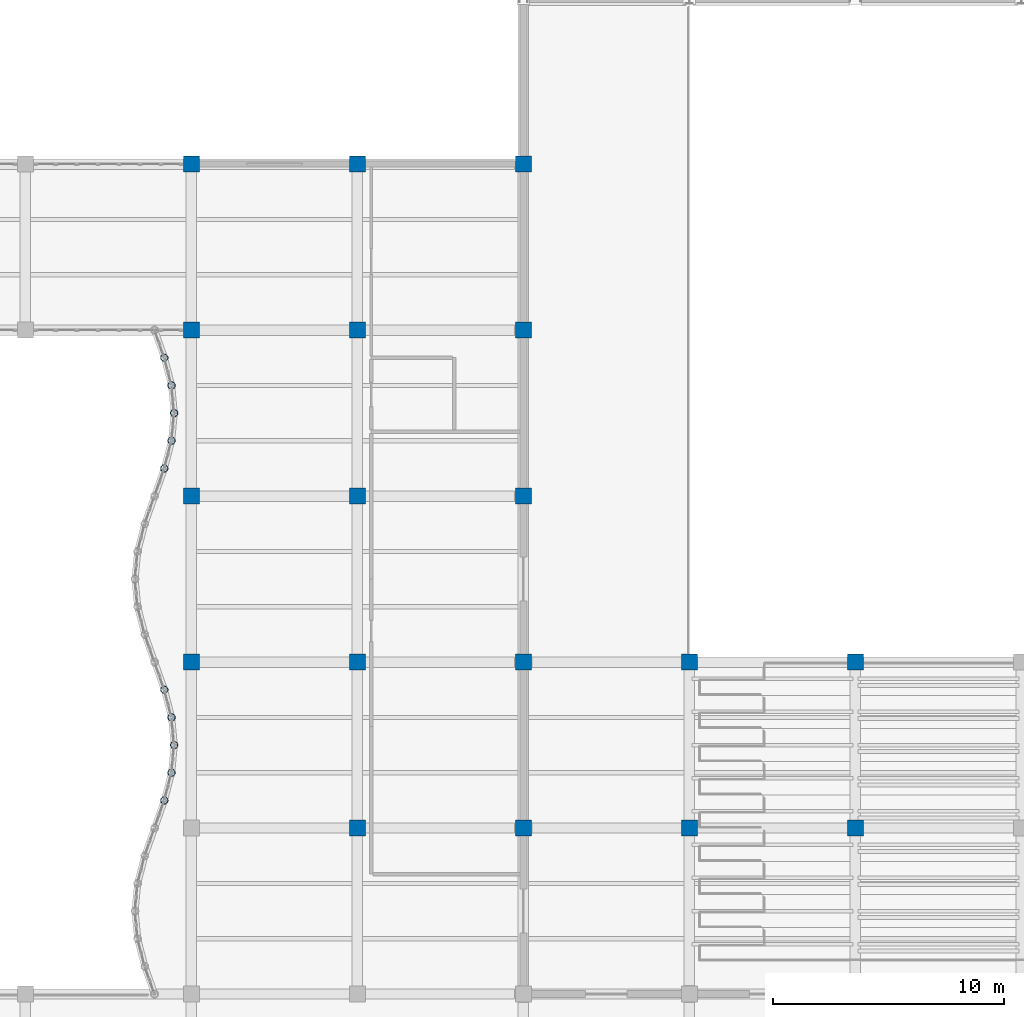
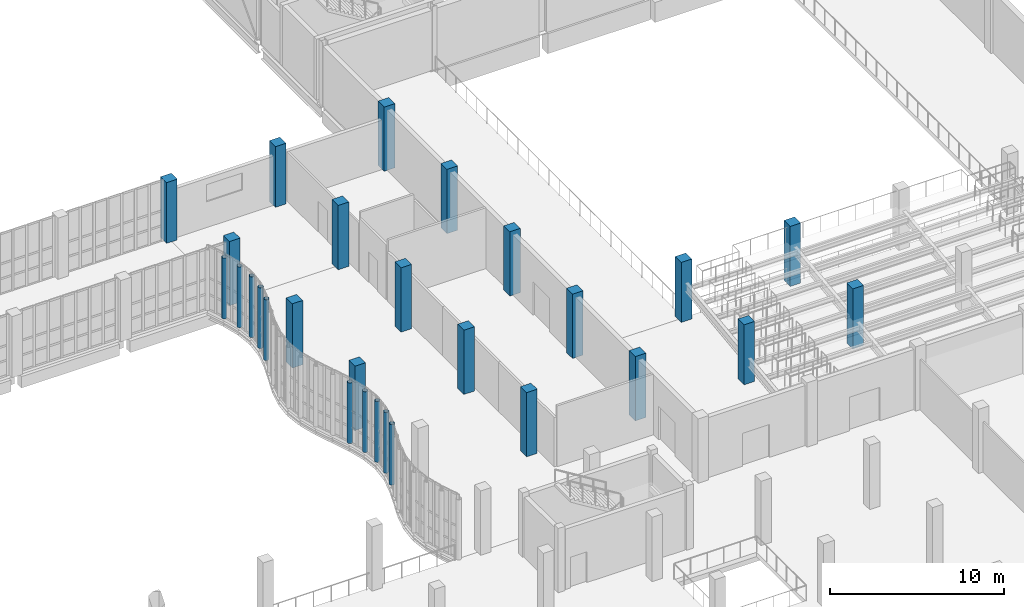
# One storey, part 6 of 108: 28 columns.
"""IFC4 building model written with IfcOpenShell, lengths in metres."""

import ifcopenshell
import ifcopenshell.guid

model = None  # the IFC model being written
_history = None  # IfcOwnerHistory: only IFC2X3 demands one
_inside = {}  # id of a spatial element -> (the spatial element, [elements in it])
_under = {}  # id of a project, library or spatial element -> (it, [spatial elements below it])
_declared = {}  # id of a project -> (the project, [libraries it declares])
_typed = {}  # id of a type object -> (the type object, [elements of that type])
_made_of = {}  # id of a material, layer set ... -> (it, [elements and type objects made of it])


def new_model(schema):
    """Start an empty IFC model of exactly this schema.

    Asked for "IFC4X3", IfcOpenShell would pick the latest addendum, in which some entities
    have other attributes; the version numbers below select the first issue.
    IFC2X3 requires an IfcOwnerHistory on every rooted entity: one is made here for all.
    """
    global model, _history
    if schema == "IFC4X3":
        model = ifcopenshell.file(schema_version=(4, 3, 0, 0))
    else:
        model = ifcopenshell.file(schema=schema)
    _inside.clear()
    _under.clear()
    _declared.clear()
    _typed.clear()
    _made_of.clear()
    _history = None
    if model.schema == "IFC2X3":
        org = make("IfcOrganization", Name="unknown")
        user = make(
            "IfcPersonAndOrganization",
            ThePerson=make("IfcPerson", FamilyName="unknown"),
            TheOrganization=org,
        )
        app = make(
            "IfcApplication",
            ApplicationDeveloper=org,
            Version="unknown",
            ApplicationFullName="unknown",
            ApplicationIdentifier="unknown",
        )
        _history = make(
            "IfcOwnerHistory",
            OwningUser=user,
            OwningApplication=app,
            ChangeAction="ADDED",
            CreationDate=0,
        )
    return model


def make(cls, **values):
    """One entity of the class cls with the attributes given. An attribute that is None is left unset."""
    return model.create_entity(
        cls, **{name: value for name, value in values.items() if value is not None}
    )


def rooted(cls, **values):
    """An entity with a GlobalId (a new one), such as an element, a storey or a relation."""
    return make(cls, GlobalId=ifcopenshell.guid.new(), OwnerHistory=_history, **values)


def si_unit(unit_type, name, prefix=None):
    """IfcSIUnit, for example si_unit("LENGTHUNIT", "METRE", prefix="MILLI")."""
    return make("IfcSIUnit", UnitType=unit_type, Prefix=prefix, Name=name)


def assignment(units):
    """IfcUnitAssignment: the units of a project."""
    return None if units is None else make("IfcUnitAssignment", Units=units)


def point(xyz):
    """IfcCartesianPoint."""
    return None if xyz is None else make("IfcCartesianPoint", Coordinates=xyz)


def direction(xyz):
    """IfcDirection."""
    return None if xyz is None else make("IfcDirection", DirectionRatios=xyz)


def frame(location, z_axis=None, x_axis=None):
    """IfcAxis2Placement3D, a coordinate frame: its origin and axes. An axis left out is left unset."""
    return make(
        "IfcAxis2Placement3D",
        Location=point(location),
        Axis=direction(z_axis),
        RefDirection=direction(x_axis),
    )


def frame_2d(location, x_axis=None):
    """IfcAxis2Placement2D, a coordinate frame in the plane: its origin and x axis."""
    return make(
        "IfcAxis2Placement2D", Location=point(location), RefDirection=direction(x_axis)
    )


def origin():
    """The frame at (0, 0, 0) with its axes left unset."""
    return frame((0.0, 0.0, 0.0))


def origin_2d():
    """The frame at (0, 0) in the plane with its x axis left unset."""
    return frame_2d((0.0, 0.0))


def place(relative_to, where):
    """IfcLocalPlacement: puts the frame where relative to a parent placement (None: the world)."""
    return make(
        "IfcLocalPlacement", PlacementRelTo=relative_to, RelativePlacement=where
    )


def context(
    kind, dimensions, precision=None, world=None, true_north=None, identifier=None
):
    """IfcGeometricRepresentationContext, for example the 3D "Model" context."""
    return make(
        "IfcGeometricRepresentationContext",
        ContextIdentifier=identifier,
        ContextType=kind,
        CoordinateSpaceDimension=dimensions,
        Precision=precision,
        WorldCoordinateSystem=world,
        TrueNorth=true_north,
    )


def subcontext(parent, identifier, kind, view, scale=None):
    """IfcGeometricRepresentationSubContext, for example "Body" below "Model"."""
    return make(
        "IfcGeometricRepresentationSubContext",
        ContextIdentifier=identifier,
        ContextType=kind,
        ParentContext=parent,
        TargetScale=scale,
        TargetView=view,
    )


def project(units=None, contexts=None):
    """IfcProject with its units and contexts."""
    return rooted(
        "IfcProject",
        Name="project",
        RepresentationContexts=contexts,
        UnitsInContext=assignment(units),
    )


def spatial(cls, under=None, at=None, **own):
    """A site, building, storey or space (cls), placed at a placement, below another one or the project."""
    s = rooted(cls, ObjectPlacement=at, **own)
    if under is not None:
        _under.setdefault(under.id(), (under, []))[1].append(s)
    return s


def profile(cls, at=None, kind="AREA", **sizes):
    """A parametric profile (cls). Its sizes go by their IFC names, for example OverallWidth=200.0."""
    return make(cls, ProfileType=kind, Position=at, **sizes)


def rectangle(**sizes):
    """IfcRectangleProfileDef."""
    return profile("IfcRectangleProfileDef", **sizes)


def hollow_circle(**sizes):
    """IfcCircleHollowProfileDef."""
    return profile("IfcCircleHollowProfileDef", **sizes)


def extrude(swept, where, along, depth):
    """IfcExtrudedAreaSolid: the profile swept, set in the frame where, extruded along a direction by depth."""
    return make(
        "IfcExtrudedAreaSolid",
        SweptArea=swept,
        Position=where,
        ExtrudedDirection=direction(along),
        Depth=depth,
    )


def shape(context_of_items, identifier, shape_type, items):
    """IfcShapeRepresentation: the items that make up one representation, for example the "Body"."""
    return make(
        "IfcShapeRepresentation",
        ContextOfItems=context_of_items,
        RepresentationIdentifier=identifier,
        RepresentationType=shape_type,
        Items=items,
    )


def material(Name=None, Category=None):
    """IfcMaterial."""
    return make("IfcMaterial", Name=Name, Category=Category)


def material_profile(
    of_material, cross_section, Name=None, Category=None, Priority=None
):
    """IfcMaterialProfile: a cross section and its material."""
    return make(
        "IfcMaterialProfile",
        Name=Name,
        Material=of_material,
        Profile=cross_section,
        Priority=Priority,
        Category=Category,
    )


def profile_set(profiles, Name=None, composite=None):
    """IfcMaterialProfileSet."""
    return make(
        "IfcMaterialProfileSet",
        Name=Name,
        MaterialProfiles=profiles,
        CompositeProfile=composite,
    )


def made_of(thing, what):
    """Note that an element or type object is made of a material, layer set ...; save() writes the relation."""
    if what is not None:
        _made_of.setdefault(what.id(), (what, []))[1].append(thing)
    return thing


def type_object(cls, material=None, **own):
    """A type object (cls), such as IfcWallType, which elements share."""
    return made_of(rooted(cls, **own), material)


def element(
    cls,
    number,
    at=None,
    inside=None,
    cuts=None,
    type_object=None,
    material=None,
    context=None,
    identifier="Body",
    shape_type=None,
    held_by="IfcProductDefinitionShape",
    body=None,
    shapes=None,
    **own,
):
    """One element of the class cls, such as IfcWall. Its Tag is "e" and its number.

    at: its placement. inside: the storey or other place that contains it. cuts: it is an
    opening in that element (IfcRelVoidsElement). A single representation is given by context,
    identifier, shape_type and body (its items); several are given by shapes. held_by: the class
    of the entity that holds the representations. save() writes the other relations.
    """
    e = rooted(cls, Tag="e%d" % number, ObjectPlacement=at, **own)
    if body is not None:
        shapes = [shape(context, identifier, shape_type, body)]
    if shapes is not None:
        e.Representation = make(held_by, Representations=shapes)
    if inside is not None:
        _inside.setdefault(inside.id(), (inside, []))[1].append(e)
    if cuts is not None:
        rooted(
            "IfcRelVoidsElement", RelatingBuildingElement=cuts, RelatedOpeningElement=e
        )
    if type_object is not None:
        _typed.setdefault(type_object.id(), (type_object, []))[1].append(e)
    return made_of(e, material)


def aggregate(whole, parts):
    """IfcRelAggregates: a whole, such as a stair, and the parts it consists of."""
    return rooted("IfcRelAggregates", RelatingObject=whole, RelatedObjects=parts)


def save(model, path):
    """Write the relations noted so far, then the file.

    IfcRelAggregates (storeys below a building ...), IfcRelContainedInSpatialStructure (elements
    in a storey), IfcRelDefinesByType, IfcRelAssociatesMaterial and IfcRelDeclares: one each for
    every whole, place, type object, material and project.
    """
    for whole, parts in _under.values():
        aggregate(whole, parts)
    for where, things in _inside.values():
        rooted(
            "IfcRelContainedInSpatialStructure",
            RelatedElements=things,
            RelatingStructure=where,
        )
    for kind, things in _typed.values():
        rooted("IfcRelDefinesByType", RelatedObjects=things, RelatingType=kind)
    for what, things in _made_of.values():
        rooted("IfcRelAssociatesMaterial", RelatedObjects=things, RelatingMaterial=what)
    for by, libraries in _declared.values():
        rooted("IfcRelDeclares", RelatingContext=by, RelatedDefinitions=libraries)
    model.write(path)


model = new_model("IFC4")

# Units and contexts
model_context = context("Model", 3, precision=1e-05, world=origin(), true_north=direction((0.0, 1.0)))
body_context = subcontext(model_context, "Body", "Model", "MODEL_VIEW")
ifc_project = project(units=[si_unit("LENGTHUNIT", "METRE"), si_unit("AREAUNIT", "SQUARE_METRE"), si_unit("VOLUMEUNIT", "CUBIC_METRE"), si_unit("PLANEANGLEUNIT", "RADIAN"), si_unit("MASSUNIT", "GRAM", prefix="KILO"), si_unit("THERMODYNAMICTEMPERATUREUNIT", "KELVIN"), si_unit("POWERUNIT", "WATT")], contexts=[model_context])

# Site, building, storey
site_placement = place(None, origin())
site = spatial("IfcSite", under=ifc_project, at=site_placement, CompositionType="ELEMENT")
building_placement = place(site_placement, origin())
building = spatial("IfcBuilding", under=site, at=building_placement, Name="Kaldorven Railside Theatre", CompositionType="ELEMENT")
storey_placement = place(building_placement, frame((0.0, 0.0, 5.39990234375)))
storey = spatial("IfcBuildingStorey", under=building, at=storey_placement, Name="L01", CompositionType="ELEMENT", Elevation=5.39990234375)

# Columns
ifc_material_1 = material(Name="Steel S355", Category="steel")
ifc_material_profile_1 = material_profile(ifc_material_1, hollow_circle(Radius=0.161865234375, WallThickness=0.01611328125, at=origin_2d()), Name="CHS 323.9x16")
ifc_profile_set_1 = profile_set([ifc_material_profile_1], Name="Steel S355")
column_type_1 = type_object("IfcColumnType", Name="COL-CHS324", PredefinedType="COLUMN", material=ifc_profile_set_1)
for number, where, z_axis, x_axis, name in (
    (1, (71.625, 49.199951171875, 0.0), (0.0, 0.0, 1.0), (1.0, 0.0, 0.0), "L01 Courtyard Flute Mullion Column CFS-048"),
    (2, (71.625, 54.0, 0.0), (0.0, 0.0, 1.0), (1.0, 0.0, 0.0), "L01 Courtyard Flute Mullion Column CFS-051"),
    (3, (71.625, 63.60009765625, 0.0), (0.0, 0.0, 1.0), (1.0, 0.0, 0.0), "L01 Courtyard Flute Mullion Column CFS-054"),
    (4, (71.625, 68.39990234375, 0.0), (0.0, 0.0, 1.0), (1.0, 0.0, 0.0), "L01 Courtyard Flute Mullion Column CFS-057"),
    (5, (71.93603515625, 50.39990234375, 0.0), (0.0, 0.0, 1.0), (1.0, 0.0, 0.0), "L01 Courtyard Flute Mullion Column CFS-060"),
    (6, (71.93603515625, 52.800048828125, 0.0), (0.0, 0.0, 1.0), (1.0, 0.0, 0.0), "L01 Courtyard Flute Mullion Column CFS-063"),
    (7, (71.93603515625, 64.800048828125, 0.0), (0.0, 0.0, 1.0), (1.0, 0.0, 0.0), "L01 Courtyard Flute Mullion Column CFS-066"),
    (8, (71.93603515625, 67.199951171875, 0.0), (0.0, 0.0, 1.0), (1.0, 0.0, 0.0), "L01 Courtyard Flute Mullion Column CFS-069"),
    (9, (72.050048828125, 51.60009765625, 0.0), (0.0, 0.0, 1.0), (1.0, 0.0, 0.0), "L01 Courtyard Flute Mullion Column CFS-072"),
    (10, (72.050048828125, 66.0, 0.0), (0.0, 0.0, 1.0), (1.0, 0.0, 0.0), "L01 Courtyard Flute Mullion Column CFS-075"),
):
    element("IfcColumn", number, at=place(storey_placement, frame(where, z_axis=z_axis, x_axis=x_axis)), inside=storey, type_object=column_type_1, Name=name, PredefinedType="COLUMN", context=body_context, shape_type="SweptSolid", body=[
        extrude(hollow_circle(Radius=0.161865234375, WallThickness=0.01611328125, at=origin_2d()), origin(), (0.0, 0.0, 1.0), 4.25),
    ])
ifc_material_2 = material(Name="Concrete C40/50", Category="concrete")
ifc_material_profile_2 = material_profile(ifc_material_2, rectangle(XDim=0.699951171875, YDim=0.699951171875, at=origin_2d()), Name="RC 700x700")
ifc_profile_set_2 = profile_set([ifc_material_profile_2], Name="Concrete C40/50")
column_type_2 = type_object("IfcColumnType", Name="COL-RC700", PredefinedType="COLUMN", material=ifc_profile_set_2)
for number, where, z_axis, x_axis, name in (
    (11, (80.0, 48.0, 0.0), (0.0, 0.0, 1.0), (1.0, 0.0, 0.0), "L01 Column CG-L01-080-048"),
    (12, (87.199951171875, 48.0, 0.0), (0.0, 0.0, 1.0), (0.0, 1.0, 0.0), "L01 Column CG-L01-087-048"),
):
    element("IfcColumn", number, at=place(storey_placement, frame(where, z_axis=z_axis, x_axis=x_axis)), inside=storey, type_object=column_type_2, Name=name, PredefinedType="COLUMN", context=body_context, shape_type="SweptSolid", body=[
        extrude(rectangle(XDim=0.699951171875, YDim=0.699951171875, at=origin_2d()), origin(), (0.0, 0.0, 1.0), 4.5),
    ])
for number, where, z_axis, x_axis, name in (
    (13, (94.39990234375, 48.0, 0.0), (0.0, 0.0, 1.0), (1.0, 0.0, 0.0), "L01 Column CG-L01-094-048"),
    (14, (101.60009765625, 48.0, 0.0), (0.0, 0.0, 1.0), (0.0, 1.0, 0.0), "L01 Column CG-L01-101-048"),
):
    element("IfcColumn", number, at=place(storey_placement, frame(where, z_axis=z_axis, x_axis=x_axis)), inside=storey, type_object=column_type_2, Name=name, PredefinedType="COLUMN", context=body_context, shape_type="SweptSolid", body=[
        extrude(rectangle(XDim=0.699951171875, YDim=0.699951171875, at=origin_2d()), origin(), (0.0, 0.0, 1.0), 4.2001953125),
    ])
for number, where, z_axis, x_axis, name in (
    (15, (72.800048828125, 55.199951171875, 0.0), (0.0, 0.0, 1.0), (1.0, 0.0, 0.0), "L01 Column CG-L01-072-055"),
    (16, (80.0, 55.199951171875, 0.0), (0.0, 0.0, 1.0), (0.0, 1.0, 0.0), "L01 Column CG-L01-080-055"),
    (17, (87.199951171875, 55.199951171875, 0.0), (0.0, 0.0, 1.0), (1.0, 0.0, 0.0), "L01 Column CG-L01-087-055"),
):
    element("IfcColumn", number, at=place(storey_placement, frame(where, z_axis=z_axis, x_axis=x_axis)), inside=storey, type_object=column_type_2, Name=name, PredefinedType="COLUMN", context=body_context, shape_type="SweptSolid", body=[
        extrude(rectangle(XDim=0.699951171875, YDim=0.699951171875, at=origin_2d()), origin(), (0.0, 0.0, 1.0), 4.5),
    ])
for number, where, z_axis, x_axis, name in (
    (18, (94.39990234375, 55.199951171875, 0.0), (0.0, 0.0, 1.0), (0.0, 1.0, 0.0), "L01 Column CG-L01-094-055"),
    (19, (101.60009765625, 55.199951171875, 0.0), (0.0, 0.0, 1.0), (1.0, 0.0, 0.0), "L01 Column CG-L01-101-055"),
):
    element("IfcColumn", number, at=place(storey_placement, frame(where, z_axis=z_axis, x_axis=x_axis)), inside=storey, type_object=column_type_2, Name=name, PredefinedType="COLUMN", context=body_context, shape_type="SweptSolid", body=[
        extrude(rectangle(XDim=0.699951171875, YDim=0.699951171875, at=origin_2d()), origin(), (0.0, 0.0, 1.0), 4.2001953125),
    ])
for number, where, z_axis, x_axis, name in (
    (20, (72.800048828125, 62.39990234375, 0.0), (0.0, 0.0, 1.0), (0.0, 1.0, 0.0), "L01 Column CG-L01-072-062"),
    (21, (80.0, 62.39990234375, 0.0), (0.0, 0.0, 1.0), (1.0, 0.0, 0.0), "L01 Column CG-L01-080-062"),
    (22, (87.199951171875, 62.39990234375, 0.0), (0.0, 0.0, 1.0), (0.0, 1.0, 0.0), "L01 Column CG-L01-087-062"),
    (23, (72.800048828125, 69.60009765625, 0.0), (0.0, 0.0, 1.0), (1.0, 0.0, 0.0), "L01 Column CG-L01-072-069"),
    (24, (80.0, 69.60009765625, 0.0), (0.0, 0.0, 1.0), (0.0, 1.0, 0.0), "L01 Column CG-L01-080-069"),
    (25, (87.199951171875, 69.60009765625, 0.0), (0.0, 0.0, 1.0), (1.0, 0.0, 0.0), "L01 Column CG-L01-087-069"),
):
    element("IfcColumn", number, at=place(storey_placement, frame(where, z_axis=z_axis, x_axis=x_axis)), inside=storey, type_object=column_type_2, Name=name, PredefinedType="COLUMN", context=body_context, shape_type="SweptSolid", body=[
        extrude(rectangle(XDim=0.699951171875, YDim=0.699951171875, at=origin_2d()), origin(), (0.0, 0.0, 1.0), 4.5),
    ])
for number, where, z_axis, x_axis, name in (
    (26, (72.800048828125, 76.800048828125, 0.0), (0.0, 0.0, 1.0), (0.0, 1.0, 0.0), "L01 Column CG-L01-072-076"),
    (27, (80.0, 76.800048828125, 0.0), (0.0, 0.0, 1.0), (1.0, 0.0, 0.0), "L01 Column CG-L01-080-076"),
):
    element("IfcColumn", number, at=place(storey_placement, frame(where, z_axis=z_axis, x_axis=x_axis)), inside=storey, type_object=column_type_2, Name=name, PredefinedType="COLUMN", context=body_context, shape_type="SweptSolid", body=[
        extrude(rectangle(XDim=0.699951171875, YDim=0.699951171875, at=origin_2d()), origin(), (0.0, 0.0, 1.0), 4.25),
    ])
column_placement = place(storey_placement, frame((87.199951171875, 76.800048828125, 0.0), z_axis=(0.0, 0.0, 1.0), x_axis=(1.0, 0.0, 0.0)))
element("IfcColumn", 28, at=column_placement, inside=storey, type_object=column_type_2, Name="L01 Column CG-L01-087-076", PredefinedType="COLUMN", context=body_context, shape_type="SweptSolid", body=[
    extrude(rectangle(XDim=0.699951171875, YDim=0.699951171875, at=origin_2d()), origin(), (0.0, 0.0, 1.0), 4.5),
])

save(model, "model.ifc")
